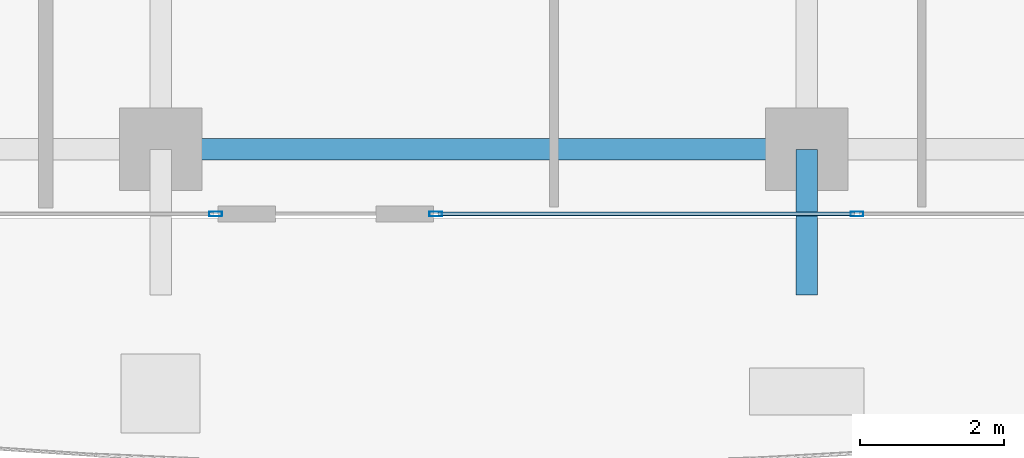
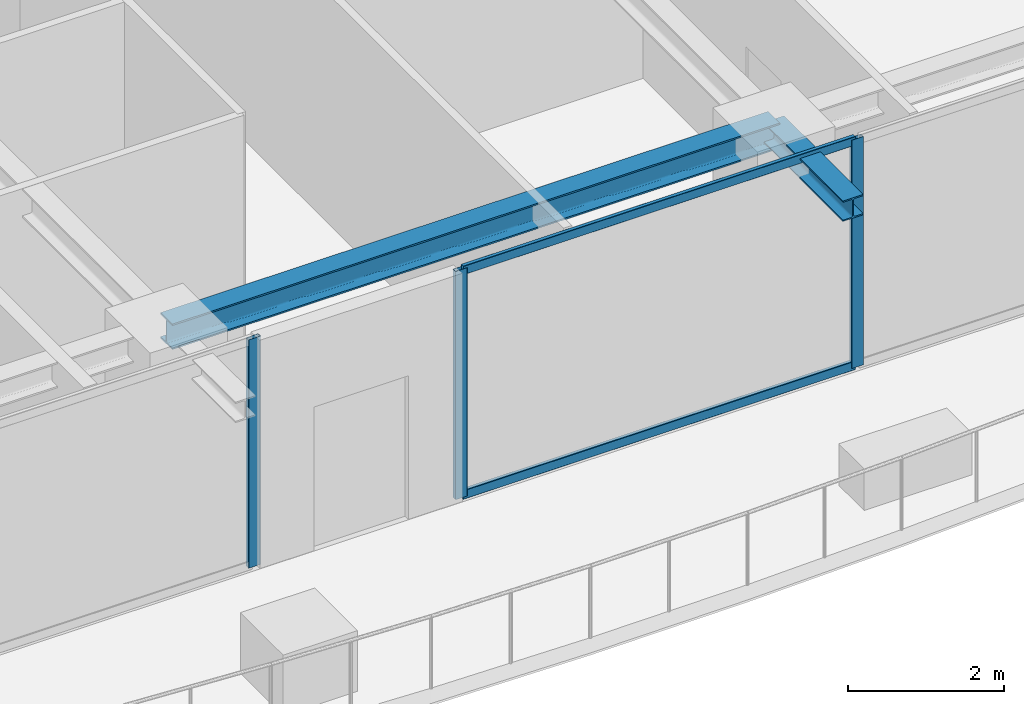
# One storey, part 5 of 37: 5 members, 2 beams, 2 elements without a shape of their own.
"""IFC4 building model written with IfcOpenShell, lengths in metres."""

import ifcopenshell
import ifcopenshell.guid

model = None  # the IFC model being written
_history = None  # IfcOwnerHistory: only IFC2X3 demands one
_inside = {}  # id of a spatial element -> (the spatial element, [elements in it])
_under = {}  # id of a project, library or spatial element -> (it, [spatial elements below it])
_declared = {}  # id of a project -> (the project, [libraries it declares])
_typed = {}  # id of a type object -> (the type object, [elements of that type])
_made_of = {}  # id of a material, layer set ... -> (it, [elements and type objects made of it])


def new_model(schema):
    """Start an empty IFC model of exactly this schema.

    Asked for "IFC4X3", IfcOpenShell would pick the latest addendum, in which some entities
    have other attributes; the version numbers below select the first issue.
    IFC2X3 requires an IfcOwnerHistory on every rooted entity: one is made here for all.
    """
    global model, _history
    if schema == "IFC4X3":
        model = ifcopenshell.file(schema_version=(4, 3, 0, 0))
    else:
        model = ifcopenshell.file(schema=schema)
    _inside.clear()
    _under.clear()
    _declared.clear()
    _typed.clear()
    _made_of.clear()
    _history = None
    if model.schema == "IFC2X3":
        org = make("IfcOrganization", Name="unknown")
        user = make(
            "IfcPersonAndOrganization",
            ThePerson=make("IfcPerson", FamilyName="unknown"),
            TheOrganization=org,
        )
        app = make(
            "IfcApplication",
            ApplicationDeveloper=org,
            Version="unknown",
            ApplicationFullName="unknown",
            ApplicationIdentifier="unknown",
        )
        _history = make(
            "IfcOwnerHistory",
            OwningUser=user,
            OwningApplication=app,
            ChangeAction="ADDED",
            CreationDate=0,
        )
    return model


def make(cls, **values):
    """One entity of the class cls with the attributes given. An attribute that is None is left unset."""
    return model.create_entity(
        cls, **{name: value for name, value in values.items() if value is not None}
    )


def rooted(cls, **values):
    """An entity with a GlobalId (a new one), such as an element, a storey or a relation."""
    return make(cls, GlobalId=ifcopenshell.guid.new(), OwnerHistory=_history, **values)


def si_unit(unit_type, name, prefix=None):
    """IfcSIUnit, for example si_unit("LENGTHUNIT", "METRE", prefix="MILLI")."""
    return make("IfcSIUnit", UnitType=unit_type, Prefix=prefix, Name=name)


def assignment(units):
    """IfcUnitAssignment: the units of a project."""
    return None if units is None else make("IfcUnitAssignment", Units=units)


def point(xyz):
    """IfcCartesianPoint."""
    return None if xyz is None else make("IfcCartesianPoint", Coordinates=xyz)


def direction(xyz):
    """IfcDirection."""
    return None if xyz is None else make("IfcDirection", DirectionRatios=xyz)


def frame(location, z_axis=None, x_axis=None):
    """IfcAxis2Placement3D, a coordinate frame: its origin and axes. An axis left out is left unset."""
    return make(
        "IfcAxis2Placement3D",
        Location=point(location),
        Axis=direction(z_axis),
        RefDirection=direction(x_axis),
    )


def frame_2d(location, x_axis=None):
    """IfcAxis2Placement2D, a coordinate frame in the plane: its origin and x axis."""
    return make(
        "IfcAxis2Placement2D", Location=point(location), RefDirection=direction(x_axis)
    )


def origin():
    """The frame at (0, 0, 0) with its axes left unset."""
    return frame((0.0, 0.0, 0.0))


def origin_2d():
    """The frame at (0, 0) in the plane with its x axis left unset."""
    return frame_2d((0.0, 0.0))


def place(relative_to, where):
    """IfcLocalPlacement: puts the frame where relative to a parent placement (None: the world)."""
    return make(
        "IfcLocalPlacement", PlacementRelTo=relative_to, RelativePlacement=where
    )


def context(
    kind, dimensions, precision=None, world=None, true_north=None, identifier=None
):
    """IfcGeometricRepresentationContext, for example the 3D "Model" context."""
    return make(
        "IfcGeometricRepresentationContext",
        ContextIdentifier=identifier,
        ContextType=kind,
        CoordinateSpaceDimension=dimensions,
        Precision=precision,
        WorldCoordinateSystem=world,
        TrueNorth=true_north,
    )


def subcontext(parent, identifier, kind, view, scale=None):
    """IfcGeometricRepresentationSubContext, for example "Body" below "Model"."""
    return make(
        "IfcGeometricRepresentationSubContext",
        ContextIdentifier=identifier,
        ContextType=kind,
        ParentContext=parent,
        TargetScale=scale,
        TargetView=view,
    )


def project(units=None, contexts=None):
    """IfcProject with its units and contexts."""
    return rooted(
        "IfcProject",
        Name="project",
        RepresentationContexts=contexts,
        UnitsInContext=assignment(units),
    )


def spatial(cls, under=None, at=None, **own):
    """A site, building, storey or space (cls), placed at a placement, below another one or the project."""
    s = rooted(cls, ObjectPlacement=at, **own)
    if under is not None:
        _under.setdefault(under.id(), (under, []))[1].append(s)
    return s


def profile(cls, at=None, kind="AREA", **sizes):
    """A parametric profile (cls). Its sizes go by their IFC names, for example OverallWidth=200.0."""
    return make(cls, ProfileType=kind, Position=at, **sizes)


def hollow_rectangle(**sizes):
    """IfcRectangleHollowProfileDef."""
    return profile("IfcRectangleHollowProfileDef", **sizes)


def i_section(**sizes):
    """IfcIShapeProfileDef."""
    return profile("IfcIShapeProfileDef", **sizes)


def extrude(swept, where, along, depth):
    """IfcExtrudedAreaSolid: the profile swept, set in the frame where, extruded along a direction by depth."""
    return make(
        "IfcExtrudedAreaSolid",
        SweptArea=swept,
        Position=where,
        ExtrudedDirection=direction(along),
        Depth=depth,
    )


def shape(context_of_items, identifier, shape_type, items):
    """IfcShapeRepresentation: the items that make up one representation, for example the "Body"."""
    return make(
        "IfcShapeRepresentation",
        ContextOfItems=context_of_items,
        RepresentationIdentifier=identifier,
        RepresentationType=shape_type,
        Items=items,
    )


def source(mapping_origin, context_of_items, identifier, shape_type, items):
    """IfcRepresentationMap: a shape defined once, which mapped items show again and again."""
    return make(
        "IfcRepresentationMap",
        MappingOrigin=mapping_origin,
        MappedRepresentation=shape(context_of_items, identifier, shape_type, items),
    )


def transform(
    local_origin,
    x_axis=None,
    y_axis=None,
    z_axis=None,
    scale=None,
    scale2=None,
    scale3=None,
    uniform=True,
):
    """IfcCartesianTransformationOperator3D, or its non-uniform kind. x_axis, y_axis, z_axis: its Axis1, 2, 3."""
    if uniform:
        return make(
            "IfcCartesianTransformationOperator3D",
            Axis1=direction(x_axis),
            Axis2=direction(y_axis),
            LocalOrigin=point(local_origin),
            Scale=scale,
            Axis3=direction(z_axis),
        )
    return make(
        "IfcCartesianTransformationOperator3DnonUniform",
        Axis1=direction(x_axis),
        Axis2=direction(y_axis),
        LocalOrigin=point(local_origin),
        Scale=scale,
        Axis3=direction(z_axis),
        Scale2=scale2,
        Scale3=scale3,
    )


def mapped(mapping_source, mapping_target):
    """IfcMappedItem: shows the shape of a source again, moved by a transform."""
    return make(
        "IfcMappedItem", MappingSource=mapping_source, MappingTarget=mapping_target
    )


def material(Name=None, Category=None):
    """IfcMaterial."""
    return make("IfcMaterial", Name=Name, Category=Category)


def layer(
    of_material, thickness, ventilated=None, Name=None, Category=None, Priority=None
):
    """IfcMaterialLayer: one layer of a wall or slab, of a material (None: an air gap)."""
    return make(
        "IfcMaterialLayer",
        Material=of_material,
        LayerThickness=thickness,
        IsVentilated=ventilated,
        Name=Name,
        Category=Category,
        Priority=Priority,
    )


def layer_set(layers, Name=None):
    """IfcMaterialLayerSet."""
    return make("IfcMaterialLayerSet", MaterialLayers=layers, LayerSetName=Name)


def material_profile(
    of_material, cross_section, Name=None, Category=None, Priority=None
):
    """IfcMaterialProfile: a cross section and its material."""
    return make(
        "IfcMaterialProfile",
        Name=Name,
        Material=of_material,
        Profile=cross_section,
        Priority=Priority,
        Category=Category,
    )


def profile_set(profiles, Name=None, composite=None):
    """IfcMaterialProfileSet."""
    return make(
        "IfcMaterialProfileSet",
        Name=Name,
        MaterialProfiles=profiles,
        CompositeProfile=composite,
    )


def made_of(thing, what):
    """Note that an element or type object is made of a material, layer set ...; save() writes the relation."""
    if what is not None:
        _made_of.setdefault(what.id(), (what, []))[1].append(thing)
    return thing


def type_object(cls, material=None, **own):
    """A type object (cls), such as IfcWallType, which elements share."""
    return made_of(rooted(cls, **own), material)


def element(
    cls,
    number,
    at=None,
    inside=None,
    cuts=None,
    type_object=None,
    material=None,
    context=None,
    identifier="Body",
    shape_type=None,
    held_by="IfcProductDefinitionShape",
    body=None,
    shapes=None,
    **own,
):
    """One element of the class cls, such as IfcWall. Its Tag is "e" and its number.

    at: its placement. inside: the storey or other place that contains it. cuts: it is an
    opening in that element (IfcRelVoidsElement). A single representation is given by context,
    identifier, shape_type and body (its items); several are given by shapes. held_by: the class
    of the entity that holds the representations. save() writes the other relations.
    """
    e = rooted(cls, Tag="e%d" % number, ObjectPlacement=at, **own)
    if body is not None:
        shapes = [shape(context, identifier, shape_type, body)]
    if shapes is not None:
        e.Representation = make(held_by, Representations=shapes)
    if inside is not None:
        _inside.setdefault(inside.id(), (inside, []))[1].append(e)
    if cuts is not None:
        rooted(
            "IfcRelVoidsElement", RelatingBuildingElement=cuts, RelatedOpeningElement=e
        )
    if type_object is not None:
        _typed.setdefault(type_object.id(), (type_object, []))[1].append(e)
    return made_of(e, material)


def aggregate(whole, parts):
    """IfcRelAggregates: a whole, such as a stair, and the parts it consists of."""
    return rooted("IfcRelAggregates", RelatingObject=whole, RelatedObjects=parts)


def save(model, path):
    """Write the relations noted so far, then the file.

    IfcRelAggregates (storeys below a building ...), IfcRelContainedInSpatialStructure (elements
    in a storey), IfcRelDefinesByType, IfcRelAssociatesMaterial and IfcRelDeclares: one each for
    every whole, place, type object, material and project.
    """
    for whole, parts in _under.values():
        aggregate(whole, parts)
    for where, things in _inside.values():
        rooted(
            "IfcRelContainedInSpatialStructure",
            RelatedElements=things,
            RelatingStructure=where,
        )
    for kind, things in _typed.values():
        rooted("IfcRelDefinesByType", RelatedObjects=things, RelatingType=kind)
    for what, things in _made_of.values():
        rooted("IfcRelAssociatesMaterial", RelatedObjects=things, RelatingMaterial=what)
    for by, libraries in _declared.values():
        rooted("IfcRelDeclares", RelatingContext=by, RelatedDefinitions=libraries)
    model.write(path)


model = new_model("IFC4")

# Units and contexts
model_context = context("Model", 3, precision=1e-05, world=origin(), true_north=direction((0.0, 1.0)))
body_context = subcontext(model_context, "Body", "Model", "MODEL_VIEW")
ifc_project = project(units=[si_unit("LENGTHUNIT", "METRE"), si_unit("AREAUNIT", "SQUARE_METRE"), si_unit("VOLUMEUNIT", "CUBIC_METRE"), si_unit("PLANEANGLEUNIT", "RADIAN"), si_unit("MASSUNIT", "GRAM", prefix="KILO")], contexts=[model_context])

# Site, building, storey
site_placement = place(None, origin())
site = spatial("IfcSite", under=ifc_project, at=site_placement, CompositionType="ELEMENT")
building_placement = place(site_placement, origin())
building = spatial("IfcBuilding", under=site, at=building_placement, Name="Serunith Strait Residences", CompositionType="ELEMENT")
storey_placement = place(building_placement, frame((0.0, 0.0, 275.89990234375)))
storey = spatial("IfcBuildingStorey", under=building, at=storey_placement, Name="L69", CompositionType="ELEMENT", Elevation=275.89990234375)

# Beams
ifc_material_1 = material(Name="Steel S355J2", Category="steel")
ifc_material_profile_1 = material_profile(ifc_material_1, i_section(OverallWidth=0.300048828125, OverallDepth=0.39990234375, WebThickness=0.013427734375, FlangeThickness=0.02392578125, FilletRadius=0.027099609375, at=origin_2d()), Name="HEB 400")
ifc_profile_set_1 = profile_set([ifc_material_profile_1], Name="Steel S355J2")
beam_type_1 = type_object("IfcBeamType", Name="BM-HEB400", PredefinedType="BEAM", material=ifc_profile_set_1)
shared_shape_1 = source(origin(), body_context, "Body", "SweptSolid", [
    extrude(i_section(OverallWidth=0.300048828125, OverallDepth=0.39990234375, WebThickness=0.013427734375, FlangeThickness=0.02392578125, FilletRadius=0.027099609375, at=origin_2d()), origin(), (0.0, 0.0, 1.0), 9.0),
])
beam_1_placement = place(storey_placement, frame((27.89990234375, 2.10009765625, 3.38720703125), z_axis=(1.0, 0.0, 0.0), x_axis=(0.0, 1.0, 0.0)))
element("IfcBeam", 1, at=beam_1_placement, inside=storey, type_object=beam_type_1, Name="L69 Perimeter Ring Beam 02", PredefinedType="BEAM", context=body_context, shape_type="MappedRepresentation", body=[
    mapped(shared_shape_1, transform((0.0, 0.0, 0.0), scale=1.0)),
])
ifc_material_profile_2 = material_profile(ifc_material_1, i_section(OverallWidth=0.300048828125, OverallDepth=0.320068359375, WebThickness=0.011474609375, FlangeThickness=0.0205078125, FilletRadius=0.027099609375, at=origin_2d()), Name="HEB 320")
ifc_profile_set_2 = profile_set([ifc_material_profile_2], Name="Steel S355J2")
beam_type_2 = type_object("IfcBeamType", Name="BM-HEB320", PredefinedType="BEAM", material=ifc_profile_set_2)
shared_shape_2 = source(origin(), body_context, "Body", "SweptSolid", [
    extrude(i_section(OverallWidth=0.300048828125, OverallDepth=0.320068359375, WebThickness=0.011474609375, FlangeThickness=0.0205078125, FilletRadius=0.027099609375, at=origin_2d()), origin(), (0.0, 0.0, 1.0), 2.030029296875),
])
beam_2_placement = place(storey_placement, frame((36.89990234375, 2.10009765625, 3.397216796875), z_axis=(0.0, -1.0, 0.0), x_axis=(1.0, 0.0, 0.0)))
element("IfcBeam", 2, at=beam_2_placement, inside=storey, type_object=beam_type_2, Name="L70 Cantilevered Balcony Rib TC-S3", PredefinedType="BEAM", context=body_context, shape_type="MappedRepresentation", body=[
    mapped(shared_shape_2, transform((0.0, 0.0, 0.0), scale=1.0)),
])

# Curtain wall, member
ifc_material_2 = material(Name="Pale-Champagne Anodised Aluminium", Category="aluminium")
ifc_layer = layer(ifc_material_2, 0.199951171875, Name="Pale-Champagne Anodised Aluminium")
ifc_layer_set = layer_set([ifc_layer], Name="Pale-Champagne Anodised Aluminium")
curtain_wall_type = type_object("IfcCurtainWallType", Name="CW-SYS4", PredefinedType="NOTDEFINED", material=ifc_layer_set)
curtain_wall_1_placement = place(storey_placement, origin())
curtain_wall_1 = element("IfcCurtainWall", 3, at=curtain_wall_1_placement, inside=storey, type_object=curtain_wall_type, Name="L69 S Unitised Fritted Curtain Wall", PredefinedType="NOTDEFINED")
ifc_material_profile_3 = material_profile(ifc_material_2, hollow_rectangle(XDim=0.06494140625, YDim=0.179931640625, WallThickness=0.00341796875, InnerFilletRadius=0.00537109375, OuterFilletRadius=0.0087890625, at=origin_2d()), Name="ALU 180x65x3.5")
ifc_profile_set_3 = profile_set([ifc_material_profile_3], Name="Pale-Champagne Anodised Aluminium")
member_type_1 = type_object("IfcMemberType", Name="CW-SYS4-MULL", PredefinedType="MULLION", material=ifc_profile_set_3)
shared_shape_3 = source(origin(), body_context, "Body", "SweptSolid", [
    extrude(hollow_rectangle(XDim=0.06494140625, YDim=0.179931640625, WallThickness=0.00341796875, InnerFilletRadius=0.00537109375, OuterFilletRadius=0.0087890625, at=origin_2d()), origin(), (0.0, 0.0, 1.0), 3.5751953125),
])
member_1_placement = place(storey_placement, frame((28.66748046875, 1.199951171875, 0.0), z_axis=(0.0, 0.0, 1.0), x_axis=(0.0, 1.0, 0.0)))
member_1 = element("IfcMember", 4, at=member_1_placement, type_object=member_type_1, Name="CW-4 mullion 3", PredefinedType="MULLION", context=body_context, shape_type="MappedRepresentation", body=[
    mapped(shared_shape_3, transform((0.0, 0.0, 0.0), scale=1.0)),
])
aggregate(curtain_wall_1, [member_1])

# Curtain wall, members
curtain_wall_2_placement = place(storey_placement, origin())
curtain_wall_2 = element("IfcCurtainWall", 5, at=curtain_wall_2_placement, inside=storey, type_object=curtain_wall_type, Name="L69 S Unitised Fritted Curtain Wall", PredefinedType="NOTDEFINED")
member_2_placement = place(storey_placement, frame((31.732421875, 1.199951171875, 0.0), z_axis=(0.0, 0.0, 1.0), x_axis=(0.0, 1.0, 0.0)))
member_2 = element("IfcMember", 6, at=member_2_placement, type_object=member_type_1, Name="CW-4 mullion 1", PredefinedType="MULLION", context=body_context, shape_type="MappedRepresentation", body=[
    mapped(shared_shape_3, transform((0.0, 0.0, 0.0), scale=1.0)),
])
member_3_placement = place(storey_placement, frame((37.60009765625, 1.199951171875, 0.0), z_axis=(0.0, 0.0, 1.0), x_axis=(0.0, 1.0, 0.0)))
member_3 = element("IfcMember", 7, at=member_3_placement, type_object=member_type_1, Name="CW-4 mullion 2", PredefinedType="MULLION", context=body_context, shape_type="MappedRepresentation", body=[
    mapped(shared_shape_3, transform((0.0, 0.0, 0.0), scale=1.0)),
])
ifc_material_profile_4 = material_profile(ifc_material_2, hollow_rectangle(XDim=0.06005859375, YDim=0.139892578125, WallThickness=0.00341796875, InnerFilletRadius=0.00537109375, OuterFilletRadius=0.0087890625, at=origin_2d()), Name="ALU 140x60x3.5")
ifc_profile_set_4 = profile_set([ifc_material_profile_4], Name="Pale-Champagne Anodised Aluminium")
member_type_2 = type_object("IfcMemberType", Name="CW-SYS4-TRAN", PredefinedType="USERDEFINED", material=ifc_profile_set_4)
shared_shape_4 = source(origin(), body_context, "Body", "SweptSolid", [
    extrude(hollow_rectangle(XDim=0.06005859375, YDim=0.139892578125, WallThickness=0.00341796875, InnerFilletRadius=0.00537109375, OuterFilletRadius=0.0087890625, at=origin_2d()), origin(), (0.0, 0.0, 1.0), 5.802490234375),
])
member_4_placement = place(storey_placement, frame((31.764892578125, 1.199951171875, 0.030029296875), z_axis=(1.0, 0.0, 0.0), x_axis=(0.0, 1.0, 0.0)))
member_4 = element("IfcMember", 8, at=member_4_placement, type_object=member_type_2, Name="CW-4 transom 1.1", ObjectType="TRANSOM", PredefinedType="USERDEFINED", context=body_context, shape_type="MappedRepresentation", body=[
    mapped(shared_shape_4, transform((0.0, 0.0, 0.0), scale=1.0)),
])
member_5_placement = place(storey_placement, frame((31.764892578125, 1.199951171875, 3.545166015625), z_axis=(1.0, 0.0, 0.0), x_axis=(0.0, 1.0, 0.0)))
member_5 = element("IfcMember", 9, at=member_5_placement, type_object=member_type_2, Name="CW-4 transom 1.2", ObjectType="TRANSOM", PredefinedType="USERDEFINED", context=body_context, shape_type="MappedRepresentation", body=[
    mapped(shared_shape_4, transform((0.0, 0.0, 0.0), scale=1.0)),
])
aggregate(curtain_wall_2, [member_2, member_3, member_4, member_5])

save(model, "model.ifc")
